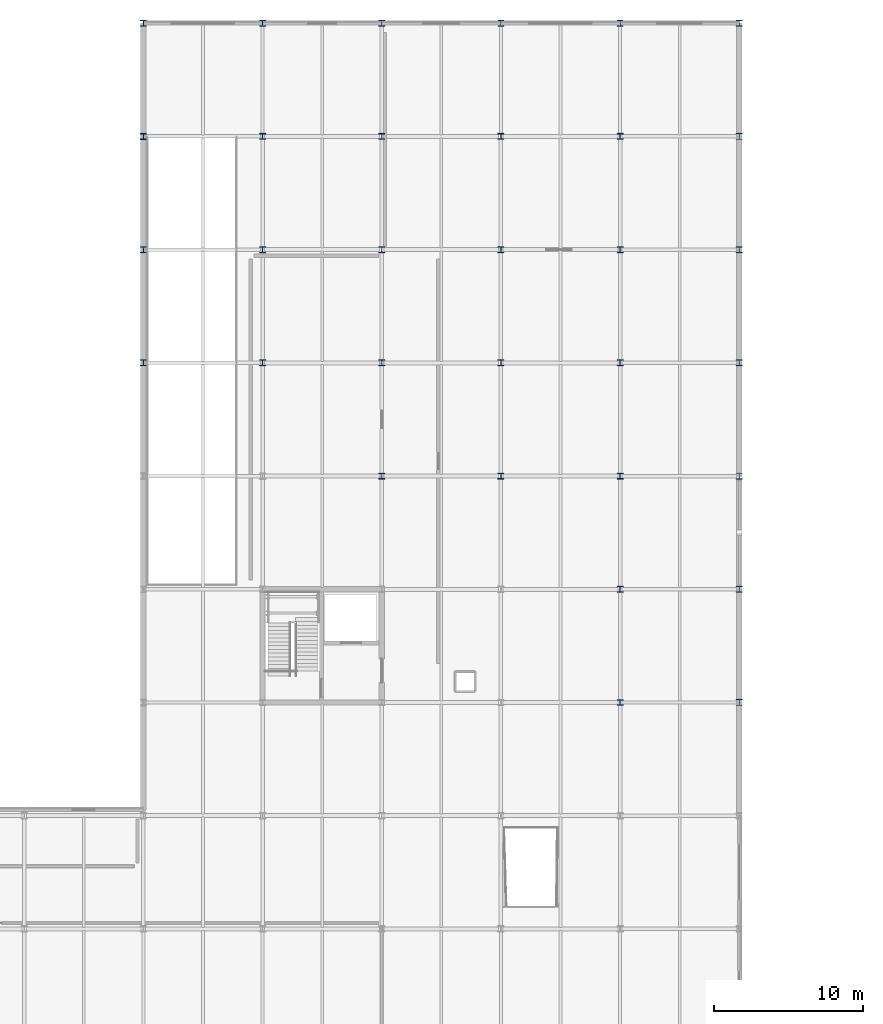
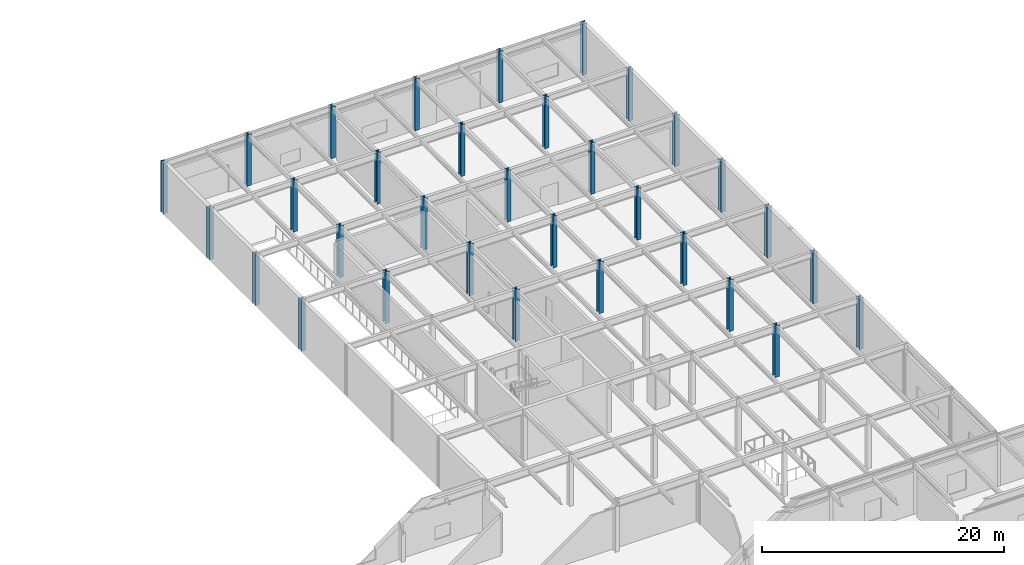
# One storey, part 23 of 62: 32 columns.
"""IFC4 building model written with IfcOpenShell, lengths in metres."""

from ifc_helpers import new_model, si_unit, direction, frame, origin, origin_2d, place, context, subcontext, project, spatial, i_section, extrude, material, material_profile, profile_set, type_object, element, save


model = new_model("IFC4")

# Units and contexts
model_context = context("Model", 3, precision=1e-05, world=origin(), true_north=direction((0.0, 1.0)))
body_context = subcontext(model_context, "Body", "Model", "MODEL_VIEW")
ifc_project = project(units=[si_unit("LENGTHUNIT", "METRE"), si_unit("AREAUNIT", "SQUARE_METRE"), si_unit("VOLUMEUNIT", "CUBIC_METRE"), si_unit("PLANEANGLEUNIT", "RADIAN"), si_unit("MASSUNIT", "GRAM", prefix="KILO")], contexts=[model_context])

# Site, building, storey
site_placement = place(None, origin())
site = spatial("IfcSite", under=ifc_project, at=site_placement, CompositionType="ELEMENT")
building_placement = place(site_placement, origin())
building = spatial("IfcBuilding", under=site, at=building_placement, Name="Zulena Civic Courthouse", CompositionType="ELEMENT")
storey_placement = place(building_placement, origin())
storey = spatial("IfcBuildingStorey", under=building, at=storey_placement, Name="L00", CompositionType="ELEMENT", Elevation=0.0)

# Columns
ifc_material = material(Name="Steel ASTM A992 Grade 50", Category="steel")
ifc_material_profile_1 = material_profile(ifc_material, i_section(OverallWidth=0.40087890625, OverallDepth=0.39892578125, WebThickness=0.02490234375, FlangeThickness=0.03955078125, FilletRadius=0.01513671875, at=origin_2d()), Name="W14X211")
ifc_profile_set_1 = profile_set([ifc_material_profile_1], Name="Steel ASTM A992 Grade 50")
column_type_1 = type_object("IfcColumnType", Name="Col_W14X211", PredefinedType="COLUMN", material=ifc_profile_set_1)
for number, where, z_axis, x_axis, name in (
    (1, (76.0, 91.199951171875, 0.0), (0.0, 0.0, 1.0), (1.0, 0.0, 0.0), "col:V5:L00:76.0:91.2"),
    (2, (76.0, 98.800048828125, 0.0), (0.0, 0.0, 1.0), (1.0, 0.0, 0.0), "col:V5:L00:76.0:98.8"),
    (3, (76.0, 106.39990234375, 0.0), (0.0, 0.0, 1.0), (1.0, 0.0, 0.0), "col:V5:L00:76.0:106.4"),
    (4, (84.0, 83.60009765625, 0.0), (0.0, 0.0, 1.0), (1.0, 0.0, 0.0), "col:V5:L00:84.0:83.6"),
    (5, (84.0, 91.199951171875, 0.0), (0.0, 0.0, 1.0), (1.0, 0.0, 0.0), "col:V5:L00:84.0:91.2"),
    (6, (84.0, 98.800048828125, 0.0), (0.0, 0.0, 1.0), (1.0, 0.0, 0.0), "col:V5:L00:84.0:98.8"),
    (7, (84.0, 106.39990234375, 0.0), (0.0, 0.0, 1.0), (1.0, 0.0, 0.0), "col:V5:L00:84.0:106.4"),
    (8, (92.0, 83.60009765625, 0.0), (0.0, 0.0, 1.0), (1.0, 0.0, 0.0), "col:V5:L00:92.0:83.6"),
    (9, (92.0, 91.199951171875, 0.0), (0.0, 0.0, 1.0), (1.0, 0.0, 0.0), "col:V5:L00:92.0:91.2"),
    (10, (92.0, 98.800048828125, 0.0), (0.0, 0.0, 1.0), (1.0, 0.0, 0.0), "col:V5:L00:92.0:98.8"),
    (11, (92.0, 106.39990234375, 0.0), (0.0, 0.0, 1.0), (1.0, 0.0, 0.0), "col:V5:L00:92.0:106.4"),
    (12, (100.0, 68.39990234375, 0.0), (0.0, 0.0, 1.0), (1.0, 0.0, 0.0), "col:V5:L00:100.0:68.4"),
    (13, (100.0, 76.0, 0.0), (0.0, 0.0, 1.0), (1.0, 0.0, 0.0), "col:V5:L00:100.0:76.0"),
    (14, (100.0, 83.60009765625, 0.0), (0.0, 0.0, 1.0), (1.0, 0.0, 0.0), "col:V5:L00:100.0:83.6"),
    (15, (100.0, 91.199951171875, 0.0), (0.0, 0.0, 1.0), (1.0, 0.0, 0.0), "col:V5:L00:100.0:91.2"),
    (16, (100.0, 98.800048828125, 0.0), (0.0, 0.0, 1.0), (1.0, 0.0, 0.0), "col:V5:L00:100.0:98.8"),
    (17, (100.0, 106.39990234375, 0.0), (0.0, 0.0, 1.0), (1.0, 0.0, 0.0), "col:V5:L00:100.0:106.4"),
):
    element("IfcColumn", number, at=place(storey_placement, frame(where, z_axis=z_axis, x_axis=x_axis)), inside=storey, type_object=column_type_1, Name=name, PredefinedType="COLUMN", context=body_context, shape_type="SweptSolid", body=[
        extrude(i_section(OverallWidth=0.40087890625, OverallDepth=0.39892578125, WebThickness=0.02490234375, FlangeThickness=0.03955078125, FilletRadius=0.01513671875, at=origin_2d()), origin(), (0.0, 0.0, 1.0), 5.18505859375),
    ])
ifc_material_profile_2 = material_profile(ifc_material, i_section(OverallWidth=0.406005859375, OverallDepth=0.416015625, WebThickness=0.02978515625, FlangeThickness=0.048095703125, FilletRadius=0.01513671875, at=origin_2d()), Name="W14X257")
ifc_profile_set_2 = profile_set([ifc_material_profile_2], Name="Steel ASTM A992 Grade 50")
column_type_2 = type_object("IfcColumnType", Name="Col_W14X257", PredefinedType="COLUMN", material=ifc_profile_set_2)
for number, where, z_axis, x_axis, name in (
    (18, (68.0, 91.199951171875, 0.0), (0.0, 0.0, 1.0), (1.0, 0.0, 0.0), "col:V5:L00:68.0:91.2"),
    (19, (68.0, 98.800048828125, 0.0), (0.0, 0.0, 1.0), (1.0, 0.0, 0.0), "col:V5:L00:68.0:98.8"),
    (20, (68.0, 106.39990234375, 0.0), (0.0, 0.0, 1.0), (1.0, 0.0, 0.0), "col:V5:L00:68.0:106.4"),
    (21, (68.0, 114.0, 0.0), (0.0, 0.0, 1.0), (1.0, 0.0, 0.0), "col:V5:L00:68.0:114.0"),
    (22, (76.0, 114.0, 0.0), (0.0, 0.0, 1.0), (1.0, 0.0, 0.0), "col:V5:L00:76.0:114.0"),
):
    element("IfcColumn", number, at=place(storey_placement, frame(where, z_axis=z_axis, x_axis=x_axis)), inside=storey, type_object=column_type_2, Name=name, PredefinedType="COLUMN", context=body_context, shape_type="SweptSolid", body=[
        extrude(i_section(OverallWidth=0.406005859375, OverallDepth=0.416015625, WebThickness=0.02978515625, FlangeThickness=0.048095703125, FilletRadius=0.01513671875, at=origin_2d()), origin(), (0.0, 0.0, 1.0), 5.18505859375),
    ])
ifc_material_profile_3 = material_profile(ifc_material, i_section(OverallWidth=0.412109375, OverallDepth=0.43505859375, WebThickness=0.035888671875, FlangeThickness=0.057373046875, FilletRadius=0.01513671875, at=origin_2d()), Name="W14X311")
ifc_profile_set_3 = profile_set([ifc_material_profile_3], Name="Steel ASTM A992 Grade 50")
column_type_3 = type_object("IfcColumnType", Name="Col_W14X311", PredefinedType="COLUMN", material=ifc_profile_set_3)
for number, where, z_axis, x_axis, name in (
    (23, (84.0, 114.0, 0.0), (0.0, 0.0, 1.0), (1.0, 0.0, 0.0), "col:V5:L00:84.0:114.0"),
    (24, (92.0, 114.0, 0.0), (0.0, 0.0, 1.0), (1.0, 0.0, 0.0), "col:V5:L00:92.0:114.0"),
    (25, (100.0, 114.0, 0.0), (0.0, 0.0, 1.0), (1.0, 0.0, 0.0), "col:V5:L00:100.0:114.0"),
    (26, (108.0, 68.39990234375, 0.0), (0.0, 0.0, 1.0), (1.0, 0.0, 0.0), "col:V5:L00:108.0:68.4"),
    (27, (108.0, 76.0, 0.0), (0.0, 0.0, 1.0), (1.0, 0.0, 0.0), "col:V5:L00:108.0:76.0"),
    (28, (108.0, 83.60009765625, 0.0), (0.0, 0.0, 1.0), (1.0, 0.0, 0.0), "col:V5:L00:108.0:83.6"),
    (29, (108.0, 91.199951171875, 0.0), (0.0, 0.0, 1.0), (1.0, 0.0, 0.0), "col:V5:L00:108.0:91.2"),
    (30, (108.0, 98.800048828125, 0.0), (0.0, 0.0, 1.0), (1.0, 0.0, 0.0), "col:V5:L00:108.0:98.8"),
    (31, (108.0, 106.39990234375, 0.0), (0.0, 0.0, 1.0), (1.0, 0.0, 0.0), "col:V5:L00:108.0:106.4"),
    (32, (108.0, 114.0, 0.0), (0.0, 0.0, 1.0), (1.0, 0.0, 0.0), "col:V5:L00:108.0:114.0"),
):
    element("IfcColumn", number, at=place(storey_placement, frame(where, z_axis=z_axis, x_axis=x_axis)), inside=storey, type_object=column_type_3, Name=name, PredefinedType="COLUMN", context=body_context, shape_type="SweptSolid", body=[
        extrude(i_section(OverallWidth=0.412109375, OverallDepth=0.43505859375, WebThickness=0.035888671875, FlangeThickness=0.057373046875, FilletRadius=0.01513671875, at=origin_2d()), origin(), (0.0, 0.0, 1.0), 5.18505859375),
    ])

save(model, "model.ifc")
